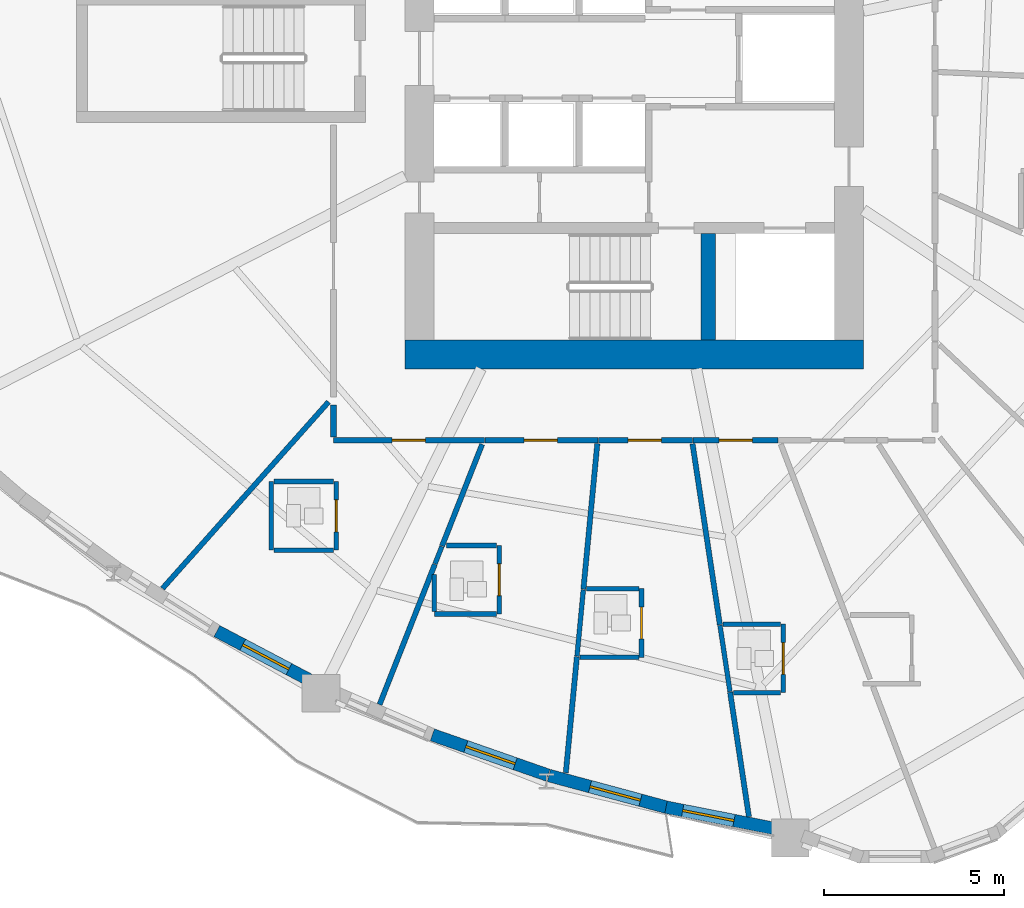
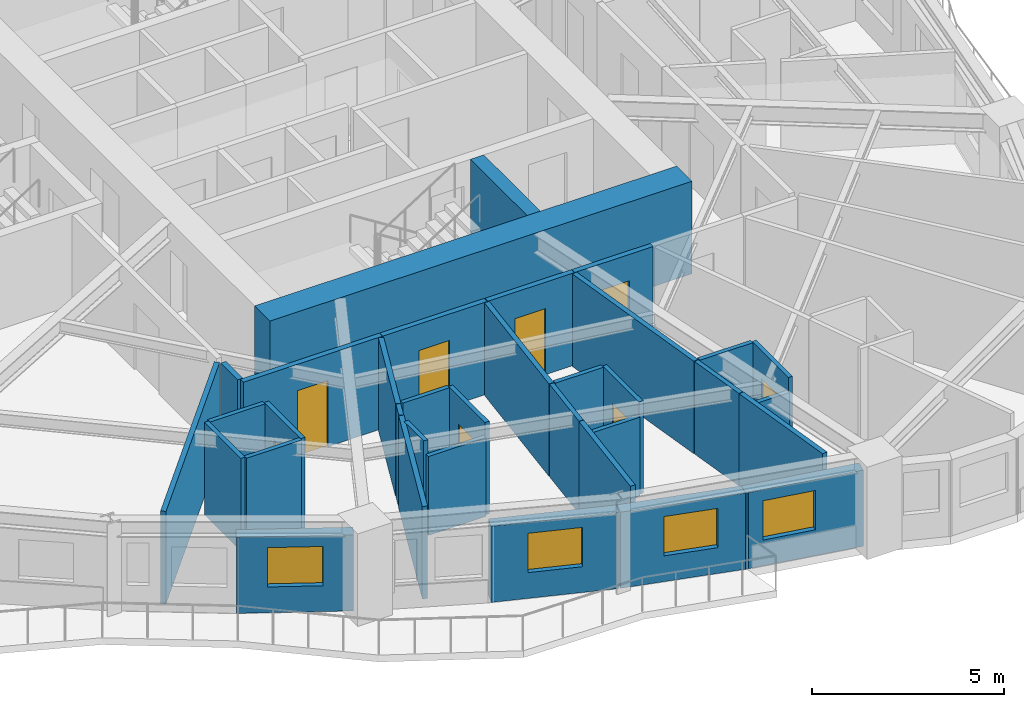
# One storey, part 3 of 14: 35 walls, 8 doors, 4 windows, 12 openings.
"""IFC4 building model written with IfcOpenShell, lengths in metres."""

from ifc_helpers import new_model, si_unit, direction, frame, frame_2d, origin, place, context, subcontext, project, spatial, rectangle, extrude, source, transform, mapped, material, layer, layer_set, type_object, element, fill, save


model = new_model("IFC4")

# Units and contexts
model_context = context("Model", 3, precision=1e-05, world=origin(), true_north=direction((0.0, 1.0)))
body_context = subcontext(model_context, "Body", "Model", "MODEL_VIEW")
ifc_project = project(units=[si_unit("LENGTHUNIT", "METRE"), si_unit("AREAUNIT", "SQUARE_METRE"), si_unit("VOLUMEUNIT", "CUBIC_METRE"), si_unit("PLANEANGLEUNIT", "RADIAN"), si_unit("MASSUNIT", "GRAM", prefix="KILO")], contexts=[model_context])

# Site, building, storey
site_placement = place(None, origin())
site = spatial("IfcSite", under=ifc_project, at=site_placement, CompositionType="ELEMENT")
building_placement = place(site_placement, origin())
building = spatial("IfcBuilding", under=site, at=building_placement, Name="Qafzar Sky-Pleat Residences", CompositionType="ELEMENT")
storey_placement = place(building_placement, frame((0.0, 0.0, 17.39990234375)))
storey = spatial("IfcBuildingStorey", under=building, at=storey_placement, Name="L04", CompositionType="ELEMENT", Elevation=17.39990234375)

# Wall, opening, door
ifc_material_1 = material(Name="Acoustic gypsum plasterboard partition", Category="gypsum")
ifc_layer_1 = layer(ifc_material_1, 0.159912109375)
ifc_layer_set_1 = layer_set([ifc_layer_1], Name="Acoustic gypsum plasterboard partition")
wall_type_1 = type_object("IfcWallType", Name="PART-COR-160", PredefinedType="PARTITIONING", material=ifc_layer_set_1)
wall_1_placement = place(storey_placement, frame((26.197021484375, 15.419921875, 0.0), z_axis=(0.0, 0.0, 1.0), x_axis=(-1.0, 0.0, 0.0)))
wall_1 = element("IfcWall", 1, at=wall_1_placement, inside=storey, type_object=wall_type_1, Name="L04 Partition Wall PART-L04-PW-003", PredefinedType="PARTITIONING", context=body_context, shape_type="SweptSolid", body=[
    extrude(rectangle(XDim=4.177001953125, YDim=0.159912109375, at=frame_2d((2.08837890625, 0.0))), origin(), (0.0, 0.0, 1.0), 2.940185546875),
])
opening_1_placement = place(wall_1_placement, frame((1.636474609375, 0.0, 0.0)))
opening_1 = element("IfcOpeningElement", 2, at=opening_1_placement, cuts=wall_1, Name="Opening ID-04", PredefinedType="OPENING", context=body_context, shape_type="SweptSolid", body=[
    extrude(rectangle(XDim=0.919921875, YDim=2.10009765625, at=frame_2d((0.4599609375, 1.050048828125))), frame((0.0, 0.08984375, 0.0), z_axis=(0.0, -1.0, 0.0), x_axis=(1.0, 0.0, 0.0)), (0.0, 0.0, 1.0), 0.179931640625),
])
ifc_material_2 = material(Name="Timber-faced fire door", Category="wood")
door_type_1 = type_object("IfcDoorType", Name="DR-BED-920", OperationType="NOTDEFINED", PredefinedType="DOOR", material=ifc_material_2)
shared_shape_1 = source(origin(), body_context, "Body", "SweptSolid", [
    extrude(rectangle(XDim=0.919921875, YDim=2.10009765625, at=frame_2d((0.4599609375, 1.050048828125))), frame((0.0, 0.02490234375, 0.0), z_axis=(0.0, -1.0, 0.0), x_axis=(1.0, 0.0, 0.0)), (0.0, 0.0, 1.0), 0.050048828125),
])
door_1_placement = place(opening_1_placement, origin())
door_1 = element("IfcDoor", 3, at=door_1_placement, inside=storey, type_object=door_type_1, Name="L04 Co-Living Bedroom 5 Door", OperationType="SINGLE_SWING_RIGHT", OverallHeight=2.10009765625, OverallWidth=0.919921875, PredefinedType="DOOR", context=body_context, shape_type="MappedRepresentation", body=[
    mapped(shared_shape_1, transform((0.0, 0.0, 0.0), x_axis=(1.0, 0.0, 0.0), y_axis=(0.0, 1.0, 0.0), z_axis=(0.0, 0.0, 1.0), scale=1.0)),
])
fill(opening_1, door_1)

wall_2_placement = place(storey_placement, frame((29.35205078125, 15.419921875, 0.0), z_axis=(0.0, 0.0, 1.0), x_axis=(-1.0, 0.0, 0.0)))
wall_2 = element("IfcWall", 4, at=wall_2_placement, inside=storey, type_object=wall_type_1, Name="L04 Partition Wall PART-L04-PW-008", PredefinedType="PARTITIONING", context=body_context, shape_type="SweptSolid", body=[
    extrude(rectangle(XDim=3.14013671875, YDim=0.159912109375, at=frame_2d((1.570068359375, 0.0))), origin(), (0.0, 0.0, 1.0), 2.940185546875),
])
opening_2_placement = place(wall_2_placement, frame((1.133056640625, 0.0, 0.0)))
opening_2 = element("IfcOpeningElement", 5, at=opening_2_placement, cuts=wall_2, Name="Opening ID-04", PredefinedType="OPENING", context=body_context, shape_type="SweptSolid", body=[
    extrude(rectangle(XDim=0.919921875, YDim=2.10009765625, at=frame_2d((0.4599609375, 1.050048828125))), frame((0.0, 0.08984375, 0.0), z_axis=(0.0, -1.0, 0.0), x_axis=(1.0, 0.0, 0.0)), (0.0, 0.0, 1.0), 0.179931640625),
])
door_2_placement = place(opening_2_placement, origin())
door_2 = element("IfcDoor", 6, at=door_2_placement, inside=storey, type_object=door_type_1, Name="L04 Co-Living Bedroom 6 Door", OperationType="SINGLE_SWING_LEFT", OverallHeight=2.10009765625, OverallWidth=0.919921875, PredefinedType="DOOR", context=body_context, shape_type="MappedRepresentation", body=[
    mapped(shared_shape_1, transform((0.0, 0.0, 0.0), x_axis=(1.0, 0.0, 0.0), y_axis=(0.0, 1.0, 0.0), z_axis=(0.0, 0.0, 1.0), scale=1.0)),
])
fill(opening_2, door_2)

wall_3_placement = place(storey_placement, frame((31.965087890625, 15.419921875, 0.0), z_axis=(0.0, 0.0, 1.0), x_axis=(-1.0, 0.0, 0.0)))
wall_3 = element("IfcWall", 7, at=wall_3_placement, inside=storey, type_object=wall_type_1, Name="L04 Partition Wall PART-L04-PW-011", PredefinedType="PARTITIONING", context=body_context, shape_type="SweptSolid", body=[
    extrude(rectangle(XDim=2.59814453125, YDim=0.159912109375, at=frame_2d((1.299072265625, 0.0))), origin(), (0.0, 0.0, 1.0), 2.940185546875),
])
opening_3_placement = place(wall_3_placement, frame((0.861572265625, 0.0, 0.0)))
opening_3 = element("IfcOpeningElement", 8, at=opening_3_placement, cuts=wall_3, Name="Opening ID-04", PredefinedType="OPENING", context=body_context, shape_type="SweptSolid", body=[
    extrude(rectangle(XDim=0.919921875, YDim=2.10009765625, at=frame_2d((0.4599609375, 1.050048828125))), frame((0.0, 0.08984375, 0.0), z_axis=(0.0, -1.0, 0.0), x_axis=(1.0, 0.0, 0.0)), (0.0, 0.0, 1.0), 0.179931640625),
])
door_3_placement = place(opening_3_placement, origin())
door_3 = element("IfcDoor", 9, at=door_3_placement, inside=storey, type_object=door_type_1, Name="L04 Co-Living Bedroom 7 Door", OperationType="SINGLE_SWING_RIGHT", OverallHeight=2.10009765625, OverallWidth=0.919921875, PredefinedType="DOOR", context=body_context, shape_type="MappedRepresentation", body=[
    mapped(shared_shape_1, transform((0.0, 0.0, 0.0), x_axis=(1.0, 0.0, 0.0), y_axis=(0.0, 1.0, 0.0), z_axis=(0.0, 0.0, 1.0), scale=1.0)),
])
fill(opening_3, door_3)

wall_4_placement = place(storey_placement, frame((34.339111328125, 15.419921875, 0.0), z_axis=(0.0, 0.0, 1.0), x_axis=(-1.0, 0.0, 0.0)))
wall_4 = element("IfcWall", 10, at=wall_4_placement, inside=storey, type_object=wall_type_1, Name="L04 Partition Wall PART-L04-PW-014", PredefinedType="PARTITIONING", context=body_context, shape_type="SweptSolid", body=[
    extrude(rectangle(XDim=2.359130859375, YDim=0.159912109375, at=frame_2d((1.1796875, 0.0))), origin(), (0.0, 0.0, 1.0), 2.940185546875),
])
opening_4_placement = place(wall_4_placement, frame((0.718994140625, 0.0, 0.0)))
opening_4 = element("IfcOpeningElement", 11, at=opening_4_placement, cuts=wall_4, Name="Opening ID-04", PredefinedType="OPENING", context=body_context, shape_type="SweptSolid", body=[
    extrude(rectangle(XDim=0.919921875, YDim=2.10009765625, at=frame_2d((0.4599609375, 1.050048828125))), frame((0.0, 0.08984375, 0.0), z_axis=(0.0, -1.0, 0.0), x_axis=(1.0, 0.0, 0.0)), (0.0, 0.0, 1.0), 0.179931640625),
])
door_4_placement = place(opening_4_placement, origin())
door_4 = element("IfcDoor", 12, at=door_4_placement, inside=storey, type_object=door_type_1, Name="L04 Co-Living Bedroom 8 Door", OperationType="SINGLE_SWING_LEFT", OverallHeight=2.10009765625, OverallWidth=0.919921875, PredefinedType="DOOR", context=body_context, shape_type="MappedRepresentation", body=[
    mapped(shared_shape_1, transform((0.0, 0.0, 0.0), x_axis=(1.0, 0.0, 0.0), y_axis=(0.0, 1.0, 0.0), z_axis=(0.0, 0.0, 1.0), scale=1.0)),
])
fill(opening_4, door_4)

# Walls
wall_5_placement = place(storey_placement, frame((22.02001953125, 15.508056640625, 0.0), z_axis=(0.0, 0.0, 1.0), x_axis=(0.0, 1.0, 0.0)))
element("IfcWall", 13, at=wall_5_placement, inside=storey, type_object=wall_type_1, Name="L04 Partition Wall PART-L04-PW-094", PredefinedType="PARTITIONING", context=body_context, shape_type="SweptSolid", body=[
    extrude(rectangle(XDim=0.885986328125, YDim=0.159912109375, at=frame_2d((0.44287109375, 0.0))), origin(), (0.0, 0.0, 1.0), 2.940185546875),
])
ifc_layer_2 = layer(ifc_material_1, 0.14501953125)
ifc_layer_set_2 = layer_set([ifc_layer_2], Name="Acoustic gypsum plasterboard partition")
wall_type_2 = type_object("IfcWallType", Name="PART-UNIT-145", PredefinedType="PARTITIONING", material=ifc_layer_set_2)
wall_6_placement = place(storey_placement, frame((17.28125, 11.312744140625, 0.0), z_axis=(0.0, 0.0, 1.0), x_axis=(0.664782074701, 0.747037343883, 0.0)))
element("IfcWall", 14, at=wall_6_placement, inside=storey, type_object=wall_type_2, Name="L04 Partition Wall PART-L04-PW-047", PredefinedType="PARTITIONING", context=body_context, shape_type="SweptSolid", body=[
    extrude(rectangle(XDim=6.918701171875, YDim=0.14501953125, at=frame_2d((3.45947265625, 0.0))), origin(), (0.0, 0.0, 1.0), 2.940185546875),
])
wall_7_placement = place(storey_placement, frame((31.96484375, 15.3212890625, 0.0), z_axis=(0.0, 0.0, 1.0), x_axis=(0.149541437001, -0.988755459464, 0.0)))
element("IfcWall", 15, at=wall_7_placement, inside=storey, type_object=wall_type_2, Name="L04 Partition Wall PART-L04-PW-049", PredefinedType="PARTITIONING", context=body_context, shape_type="SweptSolid", body=[
    extrude(rectangle(XDim=5.069091796875, YDim=0.14501953125, at=frame_2d((2.53466796875, 0.0))), origin(), (0.0, 0.0, 1.0), 2.940185546875),
])
wall_8_placement = place(storey_placement, frame((23.29541015625, 8.097900390625, 0.0), z_axis=(0.0, 0.0, 1.0), x_axis=(0.366696366135, 0.930340676883, 0.0)))
element("IfcWall", 16, at=wall_8_placement, inside=storey, type_object=wall_type_2, Name="L04 Partition Wall PART-L04-PW-052", PredefinedType="PARTITIONING", context=body_context, shape_type="SweptSolid", body=[
    extrude(rectangle(XDim=4.173828125, YDim=0.14501953125, at=frame_2d((2.0869140625, 0.0))), origin(), (0.0, 0.0, 1.0), 2.940185546875),
])
wall_9_placement = place(storey_placement, frame((28.94189453125, 11.291015625, 0.0), z_axis=(0.0, 0.0, 1.0), x_axis=(0.095244050973, 0.995453952101, 0.0)))
element("IfcWall", 17, at=wall_9_placement, inside=storey, type_object=wall_type_2, Name="L04 Partition Wall PART-L04-PW-053", PredefinedType="PARTITIONING", context=body_context, shape_type="SweptSolid", body=[
    extrude(rectangle(XDim=4.052490234375, YDim=0.14501953125, at=frame_2d((2.0263671875, 0.0))), origin(), (0.0, 0.0, 1.0), 2.940185546875),
])
wall_10_placement = place(storey_placement, frame((33.006103515625, 8.43896484375, 0.0), z_axis=(0.0, 0.0, 1.0), x_axis=(0.149510938207, -0.988760071684, 0.0)))
element("IfcWall", 18, at=wall_10_placement, inside=storey, type_object=wall_type_2, Name="L04 Partition Wall PART-L04-PW-056", PredefinedType="PARTITIONING", context=body_context, shape_type="SweptSolid", body=[
    extrude(rectangle(XDim=3.488037109375, YDim=0.14501953125, at=frame_2d((1.744140625, 0.0))), origin(), (0.0, 0.0, 1.0), 2.940185546875),
])
wall_11_placement = place(storey_placement, frame((28.454833984375, 6.2060546875, 0.0), z_axis=(0.0, 0.0, 1.0), x_axis=(0.095101625286, 0.995467568968, 0.0)))
element("IfcWall", 19, at=wall_11_placement, inside=storey, type_object=wall_type_2, Name="L04 Partition Wall PART-L04-PW-057", PredefinedType="PARTITIONING", context=body_context, shape_type="SweptSolid", body=[
    extrude(rectangle(XDim=3.2294921875, YDim=0.14501953125, at=frame_2d((1.61474609375, 0.0))), origin(), (0.0, 0.0, 1.0), 2.940185546875),
])
wall_12_placement = place(storey_placement, frame((25.02587890625, 12.489990234375, 0.0), z_axis=(0.0, 0.0, 1.0), x_axis=(0.366755134598, 0.930317510985, 0.0)))
element("IfcWall", 20, at=wall_12_placement, inside=storey, type_object=wall_type_2, Name="L04 Partition Wall PART-L04-PW-058", PredefinedType="PARTITIONING", context=body_context, shape_type="SweptSolid", body=[
    extrude(rectangle(XDim=3.02685546875, YDim=0.14501953125, at=frame_2d((1.513427734375, 0.0))), origin(), (0.0, 0.0, 1.0), 2.940185546875),
])

# Wall, opening, door
ifc_material_3 = material(Name="Moisture-resistant gypsum partition", Category="gypsum")
ifc_layer_3 = layer(ifc_material_3, 0.1298828125)
ifc_layer_set_3 = layer_set([ifc_layer_3], Name="Moisture-resistant gypsum partition")
wall_type_3 = type_object("IfcWallType", Name="PART-WET-130", PredefinedType="PARTITIONING", material=ifc_layer_set_3)
wall_13_placement = place(storey_placement, frame((26.611083984375, 10.60498046875, 0.0), z_axis=(0.0, 0.0, 1.0), x_axis=(0.0, 1.0, 0.0)))
wall_13 = element("IfcWall", 21, at=wall_13_placement, inside=storey, type_object=wall_type_3, Name="L04 Partition Wall PART-L04-PW-018", PredefinedType="PARTITIONING", context=body_context, shape_type="SweptSolid", body=[
    extrude(rectangle(XDim=1.89990234375, YDim=0.1298828125, at=frame_2d((0.949951171875, 0.0))), origin(), (0.0, 0.0, 1.0), 2.940185546875),
])
opening_5_placement = place(wall_13_placement, frame((0.510009765625, 0.0, 0.0)))
opening_5 = element("IfcOpeningElement", 22, at=opening_5_placement, cuts=wall_13, Name="Opening ID-07", PredefinedType="OPENING", context=body_context, shape_type="SweptSolid", body=[
    extrude(rectangle(XDim=0.8798828125, YDim=2.050048828125, at=frame_2d((0.43994140625, 1.02490234375))), frame((0.0, 0.074951171875, 0.0), z_axis=(0.0, -1.0, 0.0), x_axis=(1.0, 0.0, 0.0)), (0.0, 0.0, 1.0), 0.14990234375),
])
door_type_2 = type_object("IfcDoorType", Name="DR-WET-880", OperationType="NOTDEFINED", PredefinedType="DOOR", material=ifc_material_2)
shared_shape_2 = source(origin(), body_context, "Body", "SweptSolid", [
    extrude(rectangle(XDim=0.8798828125, YDim=2.050048828125, at=frame_2d((0.43994140625, 1.02490234375))), frame((0.0, 0.02490234375, 0.0), z_axis=(0.0, -1.0, 0.0), x_axis=(1.0, 0.0, 0.0)), (0.0, 0.0, 1.0), 0.050048828125),
])
door_5_placement = place(opening_5_placement, origin())
door_5 = element("IfcDoor", 23, at=door_5_placement, inside=storey, type_object=door_type_2, Name="L04 En-suite Bathroom 6 Door", OperationType="SINGLE_SWING_LEFT", OverallHeight=2.050048828125, OverallWidth=0.8798828125, PredefinedType="DOOR", context=body_context, shape_type="MappedRepresentation", body=[
    mapped(shared_shape_2, transform((0.0, 0.0, 0.0), x_axis=(1.0, 0.0, 0.0), y_axis=(0.0, 1.0, 0.0), z_axis=(0.0, 0.0, 1.0), scale=1.0)),
])
fill(opening_5, door_5)

wall_14_placement = place(storey_placement, frame((34.47705078125, 8.424072265625, 0.0), z_axis=(0.0, 0.0, 1.0), x_axis=(0.0, 1.0, 0.0)))
wall_14 = element("IfcWall", 24, at=wall_14_placement, inside=storey, type_object=wall_type_3, Name="L04 Partition Wall PART-L04-PW-019", PredefinedType="PARTITIONING", context=body_context, shape_type="SweptSolid", body=[
    extrude(rectangle(XDim=1.89990234375, YDim=0.1298828125, at=frame_2d((0.949951171875, 0.0))), origin(), (0.0, 0.0, 1.0), 2.940185546875),
])
opening_6_placement = place(wall_14_placement, frame((0.510009765625, 0.0, 0.0)))
opening_6 = element("IfcOpeningElement", 25, at=opening_6_placement, cuts=wall_14, Name="Opening ID-07", PredefinedType="OPENING", context=body_context, shape_type="SweptSolid", body=[
    extrude(rectangle(XDim=0.8798828125, YDim=2.050048828125, at=frame_2d((0.43994140625, 1.02490234375))), frame((0.0, 0.074951171875, 0.0), z_axis=(0.0, -1.0, 0.0), x_axis=(1.0, 0.0, 0.0)), (0.0, 0.0, 1.0), 0.14990234375),
])
door_6_placement = place(opening_6_placement, origin())
door_6 = element("IfcDoor", 26, at=door_6_placement, inside=storey, type_object=door_type_2, Name="L04 En-suite Bathroom 8 Door", OperationType="SINGLE_SWING_RIGHT", OverallHeight=2.050048828125, OverallWidth=0.8798828125, PredefinedType="DOOR", context=body_context, shape_type="MappedRepresentation", body=[
    mapped(shared_shape_2, transform((0.0, 0.0, 0.0), x_axis=(1.0, 0.0, 0.0), y_axis=(0.0, 1.0, 0.0), z_axis=(0.0, 0.0, 1.0), scale=1.0)),
])
fill(opening_6, door_6)

wall_15_placement = place(storey_placement, frame((22.092041015625, 12.3740234375, 0.0), z_axis=(0.0, 0.0, 1.0), x_axis=(0.0, 1.0, 0.0)))
wall_15 = element("IfcWall", 27, at=wall_15_placement, inside=storey, type_object=wall_type_3, Name="L04 Partition Wall PART-L04-PW-021", PredefinedType="PARTITIONING", context=body_context, shape_type="SweptSolid", body=[
    extrude(rectangle(XDim=1.89990234375, YDim=0.1298828125, at=frame_2d((0.949951171875, 0.0))), origin(), (0.0, 0.0, 1.0), 2.940185546875),
])
opening_7_placement = place(wall_15_placement, frame((0.510009765625, 0.0, 0.0)))
opening_7 = element("IfcOpeningElement", 28, at=opening_7_placement, cuts=wall_15, Name="Opening ID-07", PredefinedType="OPENING", context=body_context, shape_type="SweptSolid", body=[
    extrude(rectangle(XDim=0.8798828125, YDim=2.050048828125, at=frame_2d((0.43994140625, 1.02490234375))), frame((0.0, 0.074951171875, 0.0), z_axis=(0.0, -1.0, 0.0), x_axis=(1.0, 0.0, 0.0)), (0.0, 0.0, 1.0), 0.14990234375),
])
door_7_placement = place(opening_7_placement, origin())
door_7 = element("IfcDoor", 29, at=door_7_placement, inside=storey, type_object=door_type_2, Name="L04 En-suite Bathroom 5 Door", OperationType="SINGLE_SWING_RIGHT", OverallHeight=2.050048828125, OverallWidth=0.8798828125, PredefinedType="DOOR", context=body_context, shape_type="MappedRepresentation", body=[
    mapped(shared_shape_2, transform((0.0, 0.0, 0.0), x_axis=(1.0, 0.0, 0.0), y_axis=(0.0, 1.0, 0.0), z_axis=(0.0, 0.0, 1.0), scale=1.0)),
])
fill(opening_7, door_7)

wall_16_placement = place(storey_placement, frame((30.550048828125, 9.406005859375, 0.0), z_axis=(0.0, 0.0, 1.0), x_axis=(0.0, 1.0, 0.0)))
wall_16 = element("IfcWall", 30, at=wall_16_placement, inside=storey, type_object=wall_type_3, Name="L04 Partition Wall PART-L04-PW-022", PredefinedType="PARTITIONING", context=body_context, shape_type="SweptSolid", body=[
    extrude(rectangle(XDim=1.89990234375, YDim=0.1298828125, at=frame_2d((0.949951171875, 0.0))), origin(), (0.0, 0.0, 1.0), 2.940185546875),
])
opening_8_placement = place(wall_16_placement, frame((0.510009765625, 0.0, 0.0)))
opening_8 = element("IfcOpeningElement", 31, at=opening_8_placement, cuts=wall_16, Name="Opening ID-07", PredefinedType="OPENING", context=body_context, shape_type="SweptSolid", body=[
    extrude(rectangle(XDim=0.8798828125, YDim=2.050048828125, at=frame_2d((0.43994140625, 1.02490234375))), frame((0.0, 0.074951171875, 0.0), z_axis=(0.0, -1.0, 0.0), x_axis=(1.0, 0.0, 0.0)), (0.0, 0.0, 1.0), 0.14990234375),
])
door_8_placement = place(opening_8_placement, origin())
door_8 = element("IfcDoor", 32, at=door_8_placement, inside=storey, type_object=door_type_2, Name="L04 En-suite Bathroom 7 Door", OperationType="SINGLE_SWING_LEFT", OverallHeight=2.050048828125, OverallWidth=0.8798828125, PredefinedType="DOOR", context=body_context, shape_type="MappedRepresentation", body=[
    mapped(shared_shape_2, transform((0.0, 0.0, 0.0), x_axis=(1.0, 0.0, 0.0), y_axis=(0.0, 1.0, 0.0), z_axis=(0.0, 0.0, 1.0), scale=1.0)),
])
fill(opening_8, door_8)

# Walls
wall_17_placement = place(storey_placement, frame((20.2919921875, 12.3740234375, 0.0), z_axis=(0.0, 0.0, 1.0), x_axis=(0.0, 1.0, 0.0)))
element("IfcWall", 33, at=wall_17_placement, inside=storey, type_object=wall_type_3, Name="L04 Partition Wall PART-L04-PW-067", PredefinedType="PARTITIONING", context=body_context, shape_type="SweptSolid", body=[
    extrude(rectangle(XDim=1.89990234375, YDim=0.1298828125, at=frame_2d((0.949951171875, 0.0))), origin(), (0.0, 0.0, 1.0), 2.940185546875),
])
wall_18_placement = place(storey_placement, frame((32.724853515625, 10.294189453125, 0.0), z_axis=(0.0, 0.0, 1.0), x_axis=(0.149533379282, -0.988756678096, 0.0)))
element("IfcWall", 34, at=wall_18_placement, inside=storey, type_object=wall_type_3, Name="L04 Partition Wall PART-L04-PW-069", PredefinedType="PARTITIONING", context=body_context, shape_type="SweptSolid", body=[
    extrude(rectangle(XDim=1.861328125, YDim=0.1298828125, at=frame_2d((0.9306640625, 0.0))), origin(), (0.0, 0.0, 1.0), 2.940185546875),
])
wall_19_placement = place(storey_placement, frame((28.764404296875, 9.435791015625, 0.0), z_axis=(0.0, 0.0, 1.0), x_axis=(0.094821557036, 0.995494285429, 0.0)))
element("IfcWall", 35, at=wall_19_placement, inside=storey, type_object=wall_type_3, Name="L04 Partition Wall PART-L04-PW-070", PredefinedType="PARTITIONING", context=body_context, shape_type="SweptSolid", body=[
    extrude(rectangle(XDim=1.8486328125, YDim=0.1298828125, at=frame_2d((0.92431640625, 0.0))), origin(), (0.0, 0.0, 1.0), 2.940185546875),
])
wall_20_placement = place(storey_placement, frame((24.81103515625, 10.60498046875, 0.0), z_axis=(0.0, 0.0, 1.0), x_axis=(1.0, 0.0, 0.0)))
element("IfcWall", 36, at=wall_20_placement, inside=storey, type_object=wall_type_3, Name="L04 Partition Wall PART-L04-PW-073", PredefinedType="PARTITIONING", context=body_context, shape_type="SweptSolid", body=[
    extrude(rectangle(XDim=1.72705078125, YDim=0.1298828125, at=frame_2d((0.863525390625, 0.0))), origin(), (0.0, 0.0, 1.0), 2.508056640625),
])
for number, where, z_axis, x_axis, name in (
    (37, (20.364990234375, 14.27392578125, 0.0), (0.0, 0.0, 1.0), (1.0, 0.0, 0.0), "L04 Partition Wall PART-L04-PW-074"),
    (38, (20.364990234375, 12.3740234375, 0.0), (0.0, 0.0, 1.0), (1.0, 0.0, 0.0), "L04 Partition Wall PART-L04-PW-075"),
):
    element("IfcWall", number, at=place(storey_placement, frame(where, z_axis=z_axis, x_axis=x_axis)), inside=storey, type_object=wall_type_3, Name=name, PredefinedType="PARTITIONING", context=body_context, shape_type="SweptSolid", body=[
        extrude(rectangle(XDim=1.654052734375, YDim=0.1298828125, at=frame_2d((0.8271484375, 0.0))), origin(), (0.0, 0.0, 1.0), 2.940185546875),
    ])
wall_21_placement = place(storey_placement, frame((28.847900390625, 9.406005859375, 0.0), z_axis=(0.0, 0.0, 1.0), x_axis=(1.0, 0.0, 0.0)))
element("IfcWall", 39, at=wall_21_placement, inside=storey, type_object=wall_type_3, Name="L04 Partition Wall PART-L04-PW-079", PredefinedType="PARTITIONING", context=body_context, shape_type="SweptSolid", body=[
    extrude(rectangle(XDim=1.629150390625, YDim=0.1298828125, at=frame_2d((0.814453125, 0.0))), origin(), (0.0, 0.0, 1.0), 2.508056640625),
])
wall_22_placement = place(storey_placement, frame((32.812255859375, 10.323974609375, 0.0), z_axis=(0.0, 0.0, 1.0), x_axis=(1.0, 0.0, 0.0)))
element("IfcWall", 40, at=wall_22_placement, inside=storey, type_object=wall_type_3, Name="L04 Partition Wall PART-L04-PW-080", PredefinedType="PARTITIONING", context=body_context, shape_type="SweptSolid", body=[
    extrude(rectangle(XDim=1.591796875, YDim=0.1298828125, at=frame_2d((0.7958984375, 0.0))), origin(), (0.0, 0.0, 1.0), 2.940185546875),
])
wall_23_placement = place(storey_placement, frame((29.030029296875, 11.305908203125, 0.0), z_axis=(0.0, 0.0, 1.0), x_axis=(1.0, 0.0, 0.0)))
element("IfcWall", 41, at=wall_23_placement, inside=storey, type_object=wall_type_3, Name="L04 Partition Wall PART-L04-PW-084", PredefinedType="PARTITIONING", context=body_context, shape_type="SweptSolid", body=[
    extrude(rectangle(XDim=1.447021484375, YDim=0.1298828125, at=frame_2d((0.7236328125, 0.0))), origin(), (0.0, 0.0, 1.0), 2.940185546875),
])
wall_24_placement = place(storey_placement, frame((25.1435546875, 12.5048828125, 0.0), z_axis=(0.0, 0.0, 1.0), x_axis=(1.0, 0.0, 0.0)))
element("IfcWall", 42, at=wall_24_placement, inside=storey, type_object=wall_type_3, Name="L04 Partition Wall PART-L04-PW-085", PredefinedType="PARTITIONING", context=body_context, shape_type="SweptSolid", body=[
    extrude(rectangle(XDim=1.39453125, YDim=0.1298828125, at=frame_2d((0.697265625, 0.0))), origin(), (0.0, 0.0, 1.0), 2.940185546875),
])
wall_25_placement = place(storey_placement, frame((33.09912109375, 8.424072265625, 0.0), z_axis=(0.0, 0.0, 1.0), x_axis=(1.0, 0.0, 0.0)))
element("IfcWall", 43, at=wall_25_placement, inside=storey, type_object=wall_type_3, Name="L04 Partition Wall PART-L04-PW-087", PredefinedType="PARTITIONING", context=body_context, shape_type="SweptSolid", body=[
    extrude(rectangle(XDim=1.304931640625, YDim=0.1298828125, at=frame_2d((0.65234375, 0.0))), origin(), (0.0, 0.0, 1.0), 2.508056640625),
])
wall_26_placement = place(storey_placement, frame((24.81103515625, 10.677978515625, 0.0), z_axis=(0.0, 0.0, 1.0), x_axis=(0.0, 1.0, 0.0)))
element("IfcWall", 44, at=wall_26_placement, inside=storey, type_object=wall_type_3, Name="L04 Partition Wall PART-L04-PW-092", PredefinedType="PARTITIONING", context=body_context, shape_type="SweptSolid", body=[
    extrude(rectangle(XDim=1.02490234375, YDim=0.1298828125, at=frame_2d((0.512451171875, 0.0))), origin(), (0.0, 0.0, 1.0), 2.940185546875),
])
wall_27_placement = place(storey_placement, frame((24.831298828125, 11.9951171875, 0.0), z_axis=(0.0, 0.0, 1.0), x_axis=(0.366499739739, 0.93041815372, 0.0)))
element("IfcWall", 45, at=wall_27_placement, inside=storey, type_object=wall_type_3, Name="L04 Partition Wall PART-L04-PW-100", PredefinedType="PARTITIONING", context=body_context, shape_type="SweptSolid", body=[
    extrude(rectangle(XDim=0.516845703125, YDim=0.1298828125, at=frame_2d((0.25830078125, 0.0))), origin(), (0.0, 0.0, 1.0), 2.940185546875),
])

# Wall, opening, window
ifc_material_4 = material(Name="Precast concrete C40/50 with honed Riyadh limestone", Category="concrete")
ifc_layer_4 = layer(ifc_material_4, 0.35009765625)
ifc_layer_set_4 = layer_set([ifc_layer_4], Name="Precast concrete C40/50 with honed Riyadh limestone")
wall_type_4 = type_object("IfcWallType", Name="WALL-EXT-350", PredefinedType="SOLIDWALL", material=ifc_layer_set_4)
wall_28_placement = place(storey_placement, frame((18.78662109375, 10.13134765625, 0.0), z_axis=(0.0, 0.0, 1.0), x_axis=(0.88440307047, -0.466723910834, 0.0)))
wall_28 = element("IfcWall", 46, at=wall_28_placement, inside=storey, type_object=wall_type_4, Name="L04 Limestone Facade Wall 12", PredefinedType="SOLIDWALL", context=body_context, shape_type="SweptSolid", body=[
    extrude(rectangle(XDim=3.056396484375, YDim=0.35009765625, at=frame_2d((1.5283203125, 0.0))), origin(), (0.0, 0.0, 1.0), 2.420166015625),
])
opening_9_placement = place(wall_28_placement, frame((0.80810546875, 0.0, 0.820068359375)))
opening_9 = element("IfcOpeningElement", 47, at=opening_9_placement, cuts=wall_28, Name="Opening WN-15", PredefinedType="OPENING", context=body_context, shape_type="SweptSolid", body=[
    extrude(rectangle(XDim=1.449951171875, YDim=1.25, at=frame_2d((0.72509765625, 0.625))), frame((0.0, 0.18505859375, 0.0), z_axis=(0.0, -1.0, 0.0), x_axis=(1.0, 0.0, 0.0)), (0.0, 0.0, 1.0), 0.3701171875),
])
ifc_material_5 = material(Name="Solar-control low-E glass in bronze aluminium frame", Category="glass")
window_type = type_object("IfcWindowType", Name="WIN-15", PartitioningType="SINGLE_PANEL", PredefinedType="WINDOW", material=ifc_material_5)
shared_shape_3 = source(origin(), body_context, "Body", "SweptSolid", [
    extrude(rectangle(XDim=1.449951171875, YDim=1.25, at=frame_2d((0.72509765625, 0.625))), frame((0.0, 0.030029296875, 0.0), z_axis=(0.0, -1.0, 0.0), x_axis=(1.0, 0.0, 0.0)), (0.0, 0.0, 1.0), 0.06005859375),
])
window_1_placement = place(opening_9_placement, origin())
window_1 = element("IfcWindow", 48, at=window_1_placement, inside=storey, type_object=window_type, Name="L04 Punched Facade Window 12", OverallHeight=1.25, OverallWidth=1.449951171875, PartitioningType="SINGLE_PANEL", PredefinedType="WINDOW", context=body_context, shape_type="MappedRepresentation", body=[
    mapped(shared_shape_3, transform((0.0, 0.0, 0.0), x_axis=(1.0, 0.0, 0.0), y_axis=(0.0, 1.0, 0.0), z_axis=(0.0, 0.0, 1.0), scale=1.0)),
])
fill(opening_9, window_1)

wall_29_placement = place(storey_placement, frame((24.756103515625, 7.257080078125, 0.0), z_axis=(0.0, 0.0, 1.0), x_axis=(0.944142925437, -0.329536244361, 0.0)))
wall_29 = element("IfcWall", 49, at=wall_29_placement, inside=storey, type_object=wall_type_4, Name="L04 Limestone Facade Wall 14", PredefinedType="SOLIDWALL", context=body_context, shape_type="SweptSolid", body=[
    extrude(rectangle(XDim=3.39306640625, YDim=0.35009765625, at=frame_2d((1.696533203125, 0.0))), origin(), (0.0, 0.0, 1.0), 2.420166015625),
])
opening_10_placement = place(wall_29_placement, frame((0.981689453125, 0.0, 0.820068359375)))
opening_10 = element("IfcOpeningElement", 50, at=opening_10_placement, cuts=wall_29, Name="Opening WN-15", PredefinedType="OPENING", context=body_context, shape_type="SweptSolid", body=[
    extrude(rectangle(XDim=1.449951171875, YDim=1.25, at=frame_2d((0.72509765625, 0.625))), frame((0.0, 0.18505859375, 0.0), z_axis=(0.0, -1.0, 0.0), x_axis=(1.0, 0.0, 0.0)), (0.0, 0.0, 1.0), 0.3701171875),
])
window_2_placement = place(opening_10_placement, origin())
window_2 = element("IfcWindow", 51, at=window_2_placement, inside=storey, type_object=window_type, Name="L04 Punched Facade Window 14", OverallHeight=1.25, OverallWidth=1.449951171875, PartitioningType="SINGLE_PANEL", PredefinedType="WINDOW", context=body_context, shape_type="MappedRepresentation", body=[
    mapped(shared_shape_3, transform((0.0, 0.0, 0.0), x_axis=(1.0, 0.0, 0.0), y_axis=(0.0, 1.0, 0.0), z_axis=(0.0, 0.0, 1.0), scale=1.0)),
])
fill(opening_10, window_2)

wall_30_placement = place(storey_placement, frame((27.98583984375, 6.130615234375, 0.0), z_axis=(0.0, 0.0, 1.0), x_axis=(0.96546113776, -0.2605471003, 0.0)))
wall_30 = element("IfcWall", 52, at=wall_30_placement, inside=storey, type_object=wall_type_4, Name="L04 Limestone Facade Wall 15", PredefinedType="SOLIDWALL", context=body_context, shape_type="SweptSolid", body=[
    extrude(rectangle(XDim=3.44921875, YDim=0.35009765625, at=frame_2d((1.724609375, 0.0))), origin(), (0.0, 0.0, 1.0), 2.420166015625),
])
opening_11_placement = place(wall_30_placement, frame((1.1787109375, 0.0, 0.820068359375)))
opening_11 = element("IfcOpeningElement", 53, at=opening_11_placement, cuts=wall_30, Name="Opening WN-15", PredefinedType="OPENING", context=body_context, shape_type="SweptSolid", body=[
    extrude(rectangle(XDim=1.449951171875, YDim=1.25, at=frame_2d((0.72509765625, 0.625))), frame((0.0, 0.18505859375, 0.0), z_axis=(0.0, -1.0, 0.0), x_axis=(1.0, 0.0, 0.0)), (0.0, 0.0, 1.0), 0.3701171875),
])
window_3_placement = place(opening_11_placement, origin())
window_3 = element("IfcWindow", 54, at=window_3_placement, inside=storey, type_object=window_type, Name="L04 Punched Facade Window 15-2", OverallHeight=1.25, OverallWidth=1.449951171875, PartitioningType="SINGLE_PANEL", PredefinedType="WINDOW", context=body_context, shape_type="MappedRepresentation", body=[
    mapped(shared_shape_3, transform((0.0, 0.0, 0.0), x_axis=(1.0, 0.0, 0.0), y_axis=(0.0, 1.0, 0.0), z_axis=(0.0, 0.0, 1.0), scale=1.0)),
])
fill(opening_11, window_3)

wall_31_placement = place(storey_placement, frame((31.230224609375, 5.251953125, 0.0), z_axis=(0.0, 0.0, 1.0), x_axis=(0.981232542219, -0.192828156892, 0.0)))
wall_31 = element("IfcWall", 55, at=wall_31_placement, inside=storey, type_object=wall_type_4, Name="L04 Limestone Facade Wall 16", PredefinedType="SOLIDWALL", context=body_context, shape_type="SweptSolid", body=[
    extrude(rectangle(XDim=3.242431640625, YDim=0.35009765625, at=frame_2d((1.62109375, 0.0))), origin(), (0.0, 0.0, 1.0), 2.420166015625),
])
opening_12_placement = place(wall_31_placement, frame((0.470947265625, 0.0, 0.820068359375)))
opening_12 = element("IfcOpeningElement", 56, at=opening_12_placement, cuts=wall_31, Name="Opening WN-15", PredefinedType="OPENING", context=body_context, shape_type="SweptSolid", body=[
    extrude(rectangle(XDim=1.449951171875, YDim=1.25, at=frame_2d((0.72509765625, 0.625))), frame((0.0, 0.18505859375, 0.0), z_axis=(0.0, -1.0, 0.0), x_axis=(1.0, 0.0, 0.0)), (0.0, 0.0, 1.0), 0.3701171875),
])
window_4_placement = place(opening_12_placement, origin())
window_4 = element("IfcWindow", 57, at=window_4_placement, inside=storey, type_object=window_type, Name="L04 Punched Facade Window 16", OverallHeight=1.25, OverallWidth=1.449951171875, PartitioningType="SINGLE_PANEL", PredefinedType="WINDOW", context=body_context, shape_type="MappedRepresentation", body=[
    mapped(shared_shape_3, transform((0.0, 0.0, 0.0), x_axis=(1.0, 0.0, 0.0), y_axis=(0.0, 1.0, 0.0), z_axis=(0.0, 0.0, 1.0), scale=1.0)),
])
fill(opening_12, window_4)

# Walls
ifc_material_6 = material(Name="Concrete C60/75", Category="concrete")
ifc_layer_5 = layer(ifc_material_6, 0.39990234375)
ifc_layer_set_5 = layer_set([ifc_layer_5], Name="Concrete C60/75")
wall_type_5 = type_object("IfcWallType", Name="WALL-SHEAR-400", PredefinedType="SHEAR", material=ifc_layer_set_5)
wall_32_placement = place(storey_placement, frame((32.39990234375, 18.199951171875, 0.0), z_axis=(0.0, 0.0, 1.0), x_axis=(0.0, 1.0, 0.0)))
element("IfcWall", 58, at=wall_32_placement, inside=storey, type_object=wall_type_5, Name="L04 Stair ST1 East Dividing Wall", PredefinedType="SHEAR", context=body_context, shape_type="SweptSolid", body=[
    extrude(rectangle(XDim=2.949951171875, YDim=0.39990234375, at=frame_2d((1.47509765625, 0.0))), origin(), (0.0, 0.0, 1.0), 2.940185546875),
])
ifc_layer_6 = layer(ifc_material_6, 0.800048828125)
ifc_layer_set_6 = layer_set([ifc_layer_6], Name="Concrete C60/75")
wall_type_6 = type_object("IfcWallType", Name="WALL-SHEAR-800", PredefinedType="SHEAR", material=ifc_layer_set_6)
wall_33_placement = place(storey_placement, frame((24.0, 17.800048828125, 0.0), z_axis=(0.0, 0.0, 1.0), x_axis=(1.0, 0.0, 0.0)))
element("IfcWall", 59, at=wall_33_placement, inside=storey, type_object=wall_type_6, Name="L04 CORE wall S", PredefinedType="SHEAR", context=body_context, shape_type="SweptSolid", body=[
    extrude(rectangle(XDim=12.699951171875, YDim=0.800048828125, at=frame_2d((6.35009765625, 0.0))), origin(), (0.0, 0.0, 1.0), 2.940185546875),
])

save(model, "model.ifc")
